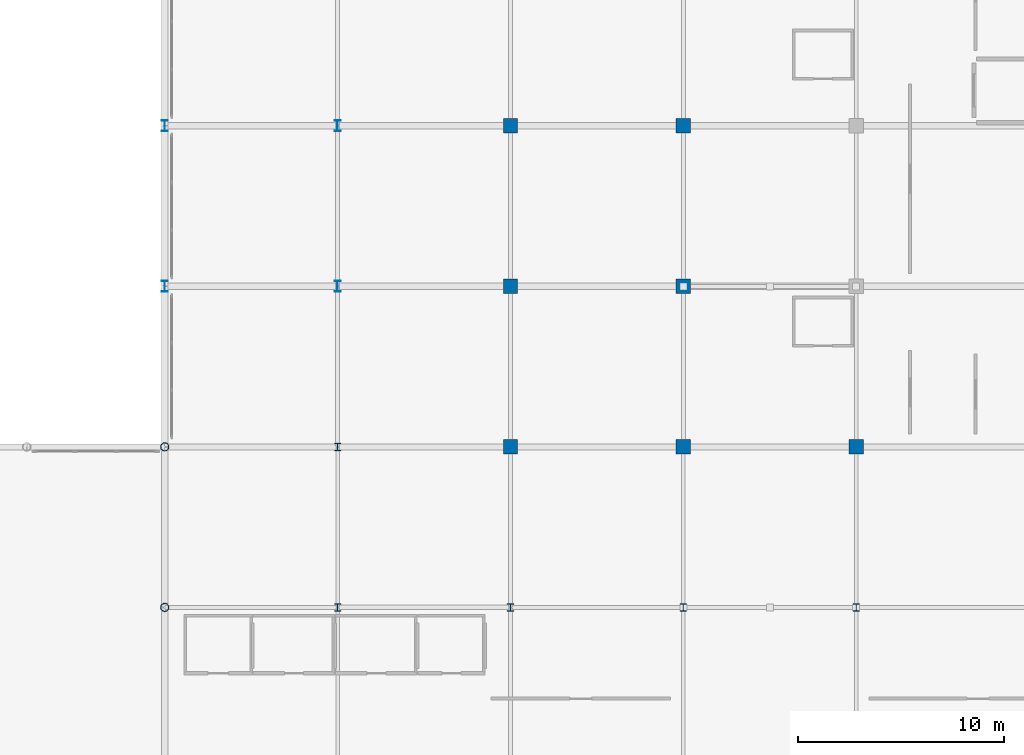
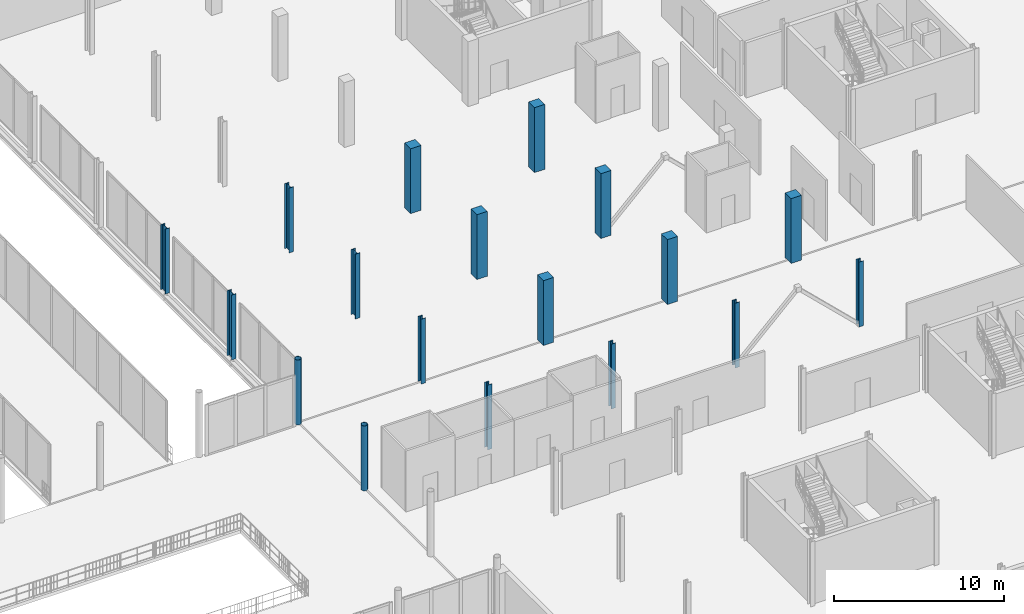
# One storey, part 12 of 98: 18 columns.
"""IFC4 building model written with IfcOpenShell, lengths in metres."""

from ifc_helpers import new_model, si_unit, direction, frame, origin, origin_2d, place, context, subcontext, project, spatial, rectangle, hollow_circle, i_section, extrude, material, material_profile, profile_set, type_object, element, save


model = new_model("IFC4")

# Units and contexts
model_context = context("Model", 3, precision=1e-05, world=origin(), true_north=direction((0.0, 1.0)))
body_context = subcontext(model_context, "Body", "Model", "MODEL_VIEW")
ifc_project = project(units=[si_unit("LENGTHUNIT", "METRE"), si_unit("AREAUNIT", "SQUARE_METRE"), si_unit("VOLUMEUNIT", "CUBIC_METRE"), si_unit("PLANEANGLEUNIT", "RADIAN"), si_unit("MASSUNIT", "GRAM", prefix="KILO")], contexts=[model_context])

# Site, building, storey
site_placement = place(None, origin())
site = spatial("IfcSite", under=ifc_project, at=site_placement, CompositionType="ELEMENT")
building_placement = place(site_placement, origin())
building = spatial("IfcBuilding", under=site, at=building_placement, Name="Nabrawat Pavilion Hospital", CompositionType="ELEMENT")
storey_placement = place(building_placement, frame((0.0, 0.0, 10.199951171875)))
storey = spatial("IfcBuildingStorey", under=building, at=storey_placement, Name="L02", CompositionType="ELEMENT", Elevation=10.199951171875)

# Columns
ifc_material_1 = material(Name="Steel S355", Category="steel")
ifc_material_profile_1 = material_profile(ifc_material_1, i_section(OverallWidth=0.300048828125, OverallDepth=0.550048828125, WebThickness=0.014892578125, FlangeThickness=0.029052734375, FilletRadius=0.027099609375, at=origin_2d()), Name="HEB 550")
ifc_profile_set_1 = profile_set([ifc_material_profile_1], Name="Steel S355")
column_type_1 = type_object("IfcColumnType", Name="Composite Steel Column HEB 550", PredefinedType="COLUMN", material=ifc_profile_set_1)
for number, where, z_axis, x_axis, name in (
    (1, (126.0, 46.800048828125, 0.0), (0.0, 0.0, 1.0), (1.0, 0.0, 0.0), "L02 Structural Column G-16A-G"),
    (2, (126.0, 54.60009765625, 0.0), (0.0, 0.0, 1.0), (1.0, 0.0, 0.0), "L02 Structural Column G-16A-H"),
    (3, (134.39990234375, 46.800048828125, 0.0), (0.0, 0.0, 1.0), (1.0, 0.0, 0.0), "L02 Structural Column G-17-G"),
    (4, (134.39990234375, 54.60009765625, 0.0), (0.0, 0.0, 1.0), (1.0, 0.0, 0.0), "L02 Structural Column G-17-H"),
):
    element("IfcColumn", number, at=place(storey_placement, frame(where, z_axis=z_axis, x_axis=x_axis)), inside=storey, type_object=column_type_1, Name=name, PredefinedType="COLUMN", context=body_context, shape_type="SweptSolid", body=[
        extrude(i_section(OverallWidth=0.300048828125, OverallDepth=0.550048828125, WebThickness=0.014892578125, FlangeThickness=0.029052734375, FilletRadius=0.027099609375, at=origin_2d()), origin(), (0.0, 0.0, 1.0), 4.650146484375),
    ])
ifc_material_profile_2 = material_profile(ifc_material_1, hollow_circle(Radius=0.203125, WallThickness=0.02001953125, at=origin_2d()), Name="CHS 406.4x20")
ifc_profile_set_2 = profile_set([ifc_material_profile_2], Name="Steel S355")
column_type_2 = type_object("IfcColumnType", Name="Expressed Pavilion Tubular Column CHS 406.4x20", PredefinedType="COLUMN", material=ifc_profile_set_2)
for number, where, z_axis, x_axis, name in (
    (5, (126.0, 31.199951171875, 0.0), (0.0, 0.0, 1.0), (1.0, 0.0, 0.0), "L02 Expressed Pavilion Column MH-E02"),
    (6, (126.0, 39.0, 0.0), (0.0, 0.0, 1.0), (1.0, 0.0, 0.0), "L02 Expressed Pavilion Column MH-N10"),
):
    element("IfcColumn", number, at=place(storey_placement, frame(where, z_axis=z_axis, x_axis=x_axis)), inside=storey, type_object=column_type_2, Name=name, PredefinedType="COLUMN", context=body_context, shape_type="SweptSolid", body=[
        extrude(hollow_circle(Radius=0.203125, WallThickness=0.02001953125, at=origin_2d()), origin(), (0.0, 0.0, 1.0), 4.650146484375),
    ])
ifc_material_2 = material(Name="Concrete C40/50", Category="concrete")
ifc_material_profile_3 = material_profile(ifc_material_2, rectangle(XDim=0.699951171875, YDim=0.699951171875, at=origin_2d()), Name="RC 700x700")
ifc_profile_set_3 = profile_set([ifc_material_profile_3], Name="Concrete C40/50")
column_type_3 = type_object("IfcColumnType", Name="Mid-Tier Ward RC Column 700x700", PredefinedType="COLUMN", material=ifc_profile_set_3)
for number, where, z_axis, x_axis, name in (
    (7, (142.800048828125, 39.0, 0.0), (0.0, 0.0, 1.0), (1.0, 0.0, 0.0), "L02 Structural Column G-18-F1"),
    (8, (142.800048828125, 46.800048828125, 0.0), (0.0, 0.0, 1.0), (1.0, 0.0, 0.0), "L02 Structural Column G-18-G"),
    (9, (142.800048828125, 54.60009765625, 0.0), (0.0, 0.0, 1.0), (1.0, 0.0, 0.0), "L02 Structural Column G-18-H"),
    (10, (151.199951171875, 39.0, 0.0), (0.0, 0.0, 1.0), (1.0, 0.0, 0.0), "L02 Structural Column G-19-F1"),
    (11, (151.199951171875, 46.800048828125, 0.0), (0.0, 0.0, 1.0), (1.0, 0.0, 0.0), "L02 Structural Column G-19-G"),
    (12, (151.199951171875, 54.60009765625, 0.0), (0.0, 0.0, 1.0), (1.0, 0.0, 0.0), "L02 Structural Column G-19-H"),
    (13, (159.60009765625, 39.0, 0.0), (0.0, 0.0, 1.0), (1.0, 0.0, 0.0), "L02 Structural Column G-20-F1"),
):
    element("IfcColumn", number, at=place(storey_placement, frame(where, z_axis=z_axis, x_axis=x_axis)), inside=storey, type_object=column_type_3, Name=name, PredefinedType="COLUMN", context=body_context, shape_type="SweptSolid", body=[
        extrude(rectangle(XDim=0.699951171875, YDim=0.699951171875, at=origin_2d()), origin(), (0.0, 0.0, 1.0), 4.650146484375),
    ])
ifc_material_profile_4 = material_profile(ifc_material_1, i_section(OverallWidth=0.300048828125, OverallDepth=0.360107421875, WebThickness=0.012451171875, FlangeThickness=0.0224609375, FilletRadius=0.027099609375, at=origin_2d()), Name="HEB 360")
ifc_profile_set_4 = profile_set([ifc_material_profile_4], Name="Steel S355")
column_type_4 = type_object("IfcColumnType", Name="Upper Steel Column HEB 360", PredefinedType="COLUMN", material=ifc_profile_set_4)
for number, where, z_axis, x_axis, name in (
    (14, (134.39990234375, 31.199951171875, 0.0), (0.0, 0.0, 1.0), (1.0, 0.0, 0.0), "L02 Structural Column G-17-E"),
    (15, (134.39990234375, 39.0, 0.0), (0.0, 0.0, 1.0), (1.0, 0.0, 0.0), "L02 Structural Column G-17-F1"),
    (16, (142.800048828125, 31.199951171875, 0.0), (0.0, 0.0, 1.0), (1.0, 0.0, 0.0), "L02 Structural Column G-18-E"),
    (17, (151.199951171875, 31.199951171875, 0.0), (0.0, 0.0, 1.0), (1.0, 0.0, 0.0), "L02 Structural Column G-19-E"),
    (18, (159.60009765625, 31.199951171875, 0.0), (0.0, 0.0, 1.0), (1.0, 0.0, 0.0), "L02 Structural Column G-20-E"),
):
    element("IfcColumn", number, at=place(storey_placement, frame(where, z_axis=z_axis, x_axis=x_axis)), inside=storey, type_object=column_type_4, Name=name, PredefinedType="COLUMN", context=body_context, shape_type="SweptSolid", body=[
        extrude(i_section(OverallWidth=0.300048828125, OverallDepth=0.360107421875, WebThickness=0.012451171875, FlangeThickness=0.0224609375, FilletRadius=0.027099609375, at=origin_2d()), origin(), (0.0, 0.0, 1.0), 4.650146484375),
    ])

save(model, "model.ifc")
